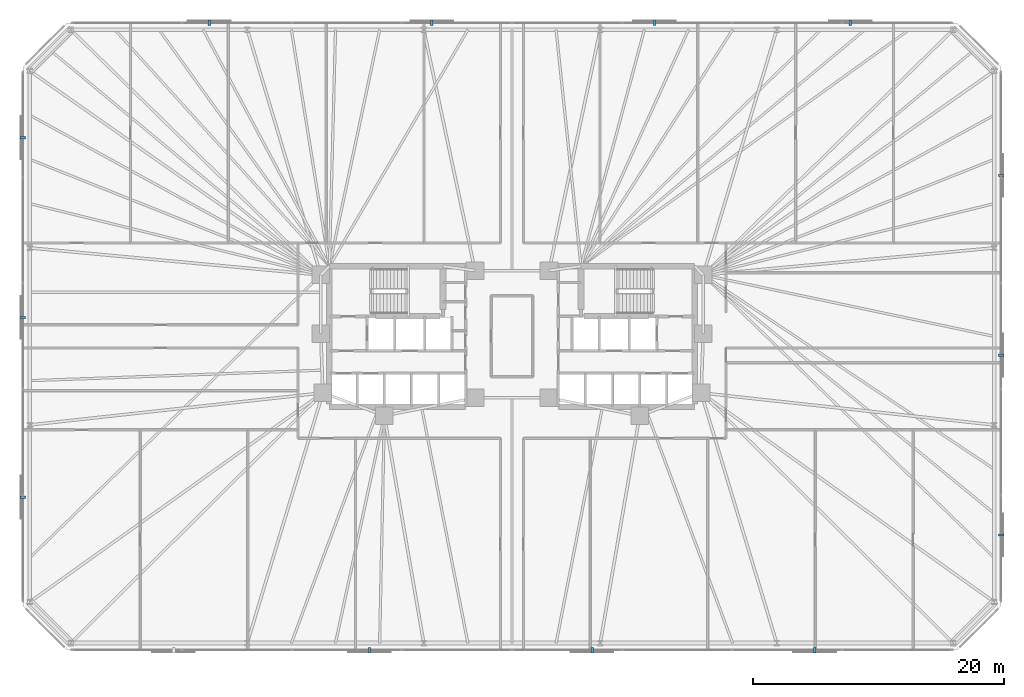
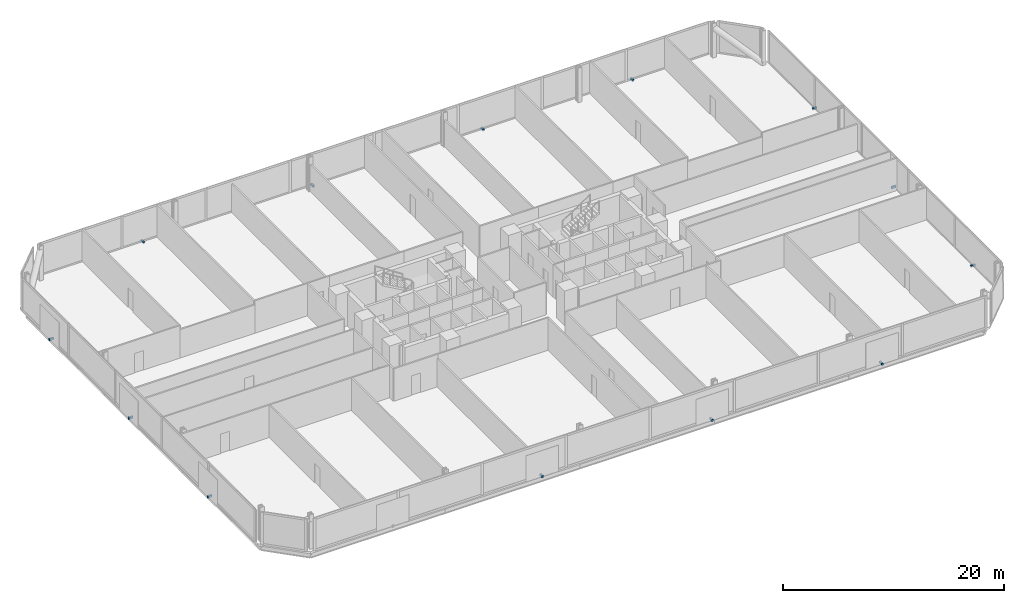
# One storey, part 16 of 17: 13 discrete accessories.
"""IFC4 building model written with IfcOpenShell, lengths in metres."""

import ifcopenshell
import ifcopenshell.guid

model = None  # the IFC model being written
_history = None  # IfcOwnerHistory: only IFC2X3 demands one
_inside = {}  # id of a spatial element -> (the spatial element, [elements in it])
_under = {}  # id of a project, library or spatial element -> (it, [spatial elements below it])
_declared = {}  # id of a project -> (the project, [libraries it declares])
_typed = {}  # id of a type object -> (the type object, [elements of that type])
_made_of = {}  # id of a material, layer set ... -> (it, [elements and type objects made of it])


def new_model(schema):
    """Start an empty IFC model of exactly this schema.

    Asked for "IFC4X3", IfcOpenShell would pick the latest addendum, in which some entities
    have other attributes; the version numbers below select the first issue.
    IFC2X3 requires an IfcOwnerHistory on every rooted entity: one is made here for all.
    """
    global model, _history
    if schema == "IFC4X3":
        model = ifcopenshell.file(schema_version=(4, 3, 0, 0))
    else:
        model = ifcopenshell.file(schema=schema)
    _inside.clear()
    _under.clear()
    _declared.clear()
    _typed.clear()
    _made_of.clear()
    _history = None
    if model.schema == "IFC2X3":
        org = make("IfcOrganization", Name="unknown")
        user = make(
            "IfcPersonAndOrganization",
            ThePerson=make("IfcPerson", FamilyName="unknown"),
            TheOrganization=org,
        )
        app = make(
            "IfcApplication",
            ApplicationDeveloper=org,
            Version="unknown",
            ApplicationFullName="unknown",
            ApplicationIdentifier="unknown",
        )
        _history = make(
            "IfcOwnerHistory",
            OwningUser=user,
            OwningApplication=app,
            ChangeAction="ADDED",
            CreationDate=0,
        )
    return model


def make(cls, **values):
    """One entity of the class cls with the attributes given. An attribute that is None is left unset."""
    return model.create_entity(
        cls, **{name: value for name, value in values.items() if value is not None}
    )


def rooted(cls, **values):
    """An entity with a GlobalId (a new one), such as an element, a storey or a relation."""
    return make(cls, GlobalId=ifcopenshell.guid.new(), OwnerHistory=_history, **values)


def si_unit(unit_type, name, prefix=None):
    """IfcSIUnit, for example si_unit("LENGTHUNIT", "METRE", prefix="MILLI")."""
    return make("IfcSIUnit", UnitType=unit_type, Prefix=prefix, Name=name)


def assignment(units):
    """IfcUnitAssignment: the units of a project."""
    return None if units is None else make("IfcUnitAssignment", Units=units)


def point(xyz):
    """IfcCartesianPoint."""
    return None if xyz is None else make("IfcCartesianPoint", Coordinates=xyz)


def direction(xyz):
    """IfcDirection."""
    return None if xyz is None else make("IfcDirection", DirectionRatios=xyz)


def frame(location, z_axis=None, x_axis=None):
    """IfcAxis2Placement3D, a coordinate frame: its origin and axes. An axis left out is left unset."""
    return make(
        "IfcAxis2Placement3D",
        Location=point(location),
        Axis=direction(z_axis),
        RefDirection=direction(x_axis),
    )


def frame_2d(location, x_axis=None):
    """IfcAxis2Placement2D, a coordinate frame in the plane: its origin and x axis."""
    return make(
        "IfcAxis2Placement2D", Location=point(location), RefDirection=direction(x_axis)
    )


def origin():
    """The frame at (0, 0, 0) with its axes left unset."""
    return frame((0.0, 0.0, 0.0))


def origin_2d():
    """The frame at (0, 0) in the plane with its x axis left unset."""
    return frame_2d((0.0, 0.0))


def place(relative_to, where):
    """IfcLocalPlacement: puts the frame where relative to a parent placement (None: the world)."""
    return make(
        "IfcLocalPlacement", PlacementRelTo=relative_to, RelativePlacement=where
    )


def context(
    kind, dimensions, precision=None, world=None, true_north=None, identifier=None
):
    """IfcGeometricRepresentationContext, for example the 3D "Model" context."""
    return make(
        "IfcGeometricRepresentationContext",
        ContextIdentifier=identifier,
        ContextType=kind,
        CoordinateSpaceDimension=dimensions,
        Precision=precision,
        WorldCoordinateSystem=world,
        TrueNorth=true_north,
    )


def subcontext(parent, identifier, kind, view, scale=None):
    """IfcGeometricRepresentationSubContext, for example "Body" below "Model"."""
    return make(
        "IfcGeometricRepresentationSubContext",
        ContextIdentifier=identifier,
        ContextType=kind,
        ParentContext=parent,
        TargetScale=scale,
        TargetView=view,
    )


def project(units=None, contexts=None):
    """IfcProject with its units and contexts."""
    return rooted(
        "IfcProject",
        Name="project",
        RepresentationContexts=contexts,
        UnitsInContext=assignment(units),
    )


def spatial(cls, under=None, at=None, **own):
    """A site, building, storey or space (cls), placed at a placement, below another one or the project."""
    s = rooted(cls, ObjectPlacement=at, **own)
    if under is not None:
        _under.setdefault(under.id(), (under, []))[1].append(s)
    return s


def profile(cls, at=None, kind="AREA", **sizes):
    """A parametric profile (cls). Its sizes go by their IFC names, for example OverallWidth=200.0."""
    return make(cls, ProfileType=kind, Position=at, **sizes)


def rectangle(**sizes):
    """IfcRectangleProfileDef."""
    return profile("IfcRectangleProfileDef", **sizes)


def extrude(swept, where, along, depth):
    """IfcExtrudedAreaSolid: the profile swept, set in the frame where, extruded along a direction by depth."""
    return make(
        "IfcExtrudedAreaSolid",
        SweptArea=swept,
        Position=where,
        ExtrudedDirection=direction(along),
        Depth=depth,
    )


def shape(context_of_items, identifier, shape_type, items):
    """IfcShapeRepresentation: the items that make up one representation, for example the "Body"."""
    return make(
        "IfcShapeRepresentation",
        ContextOfItems=context_of_items,
        RepresentationIdentifier=identifier,
        RepresentationType=shape_type,
        Items=items,
    )


def material(Name=None, Category=None):
    """IfcMaterial."""
    return make("IfcMaterial", Name=Name, Category=Category)


def made_of(thing, what):
    """Note that an element or type object is made of a material, layer set ...; save() writes the relation."""
    if what is not None:
        _made_of.setdefault(what.id(), (what, []))[1].append(thing)
    return thing


def type_object(cls, material=None, **own):
    """A type object (cls), such as IfcWallType, which elements share."""
    return made_of(rooted(cls, **own), material)


def element(
    cls,
    number,
    at=None,
    inside=None,
    cuts=None,
    type_object=None,
    material=None,
    context=None,
    identifier="Body",
    shape_type=None,
    held_by="IfcProductDefinitionShape",
    body=None,
    shapes=None,
    **own,
):
    """One element of the class cls, such as IfcWall. Its Tag is "e" and its number.

    at: its placement. inside: the storey or other place that contains it. cuts: it is an
    opening in that element (IfcRelVoidsElement). A single representation is given by context,
    identifier, shape_type and body (its items); several are given by shapes. held_by: the class
    of the entity that holds the representations. save() writes the other relations.
    """
    e = rooted(cls, Tag="e%d" % number, ObjectPlacement=at, **own)
    if body is not None:
        shapes = [shape(context, identifier, shape_type, body)]
    if shapes is not None:
        e.Representation = make(held_by, Representations=shapes)
    if inside is not None:
        _inside.setdefault(inside.id(), (inside, []))[1].append(e)
    if cuts is not None:
        rooted(
            "IfcRelVoidsElement", RelatingBuildingElement=cuts, RelatedOpeningElement=e
        )
    if type_object is not None:
        _typed.setdefault(type_object.id(), (type_object, []))[1].append(e)
    return made_of(e, material)


def aggregate(whole, parts):
    """IfcRelAggregates: a whole, such as a stair, and the parts it consists of."""
    return rooted("IfcRelAggregates", RelatingObject=whole, RelatedObjects=parts)


def save(model, path):
    """Write the relations noted so far, then the file.

    IfcRelAggregates (storeys below a building ...), IfcRelContainedInSpatialStructure (elements
    in a storey), IfcRelDefinesByType, IfcRelAssociatesMaterial and IfcRelDeclares: one each for
    every whole, place, type object, material and project.
    """
    for whole, parts in _under.values():
        aggregate(whole, parts)
    for where, things in _inside.values():
        rooted(
            "IfcRelContainedInSpatialStructure",
            RelatedElements=things,
            RelatingStructure=where,
        )
    for kind, things in _typed.values():
        rooted("IfcRelDefinesByType", RelatedObjects=things, RelatingType=kind)
    for what, things in _made_of.values():
        rooted("IfcRelAssociatesMaterial", RelatedObjects=things, RelatingMaterial=what)
    for by, libraries in _declared.values():
        rooted("IfcRelDeclares", RelatingContext=by, RelatedDefinitions=libraries)
    model.write(path)


model = new_model("IFC4")

# Units and contexts
model_context = context("Model", 3, precision=1e-05, world=origin(), true_north=direction((0.0, 1.0)))
body_context = subcontext(model_context, "Body", "Model", "MODEL_VIEW")
ifc_project = project(units=[si_unit("LENGTHUNIT", "METRE"), si_unit("AREAUNIT", "SQUARE_METRE"), si_unit("VOLUMEUNIT", "CUBIC_METRE"), si_unit("PLANEANGLEUNIT", "RADIAN"), si_unit("MASSUNIT", "GRAM", prefix="KILO")], contexts=[model_context])

# Site, building, storey
site_placement = place(None, origin())
site = spatial("IfcSite", under=ifc_project, at=site_placement, CompositionType="ELEMENT")
building_placement = place(site_placement, origin())
building = spatial("IfcBuilding", under=site, at=building_placement, Name="Menara Jurai Vektor", CompositionType="ELEMENT")
storey_placement = place(building_placement, frame((0.0, 0.0, 37.0)))
storey = spatial("IfcBuildingStorey", under=building, at=storey_placement, Name="L08", CompositionType="ELEMENT", Elevation=37.0)

# Discrete accessories
ifc_material = material(Name="Steel S355", Category="steel")
discrete_accessory_type = type_object("IfcDiscreteAccessoryType", Name="ENV-ACC-BRACKET", PredefinedType="BRACKET", material=ifc_material)
for number, where, z_axis, x_axis, name in (
    (1, (-11.360107421875, -25.010009765625, -0.1298828125), (0.0, 0.0, 1.0), (1.0, 0.0, 0.0), "Solar Screen Stand-Off Bracket L08-S02"),
    (2, (6.389892578125, -25.010009765625, -0.1298828125), (0.0, 0.0, 1.0), (1.0, 0.0, 0.0), "Solar Screen Stand-Off Bracket L08-S03"),
    (3, (24.139892578125, -25.010009765625, -0.1298828125), (0.0, 0.0, 1.0), (1.0, 0.0, 0.0), "Solar Screen Stand-Off Bracket L08-S04"),
    (4, (39.010009765625, -15.83837890625, -0.1298828125), (0.0, 0.0, 1.0), (0.0, 1.0, 0.0), "Solar Screen Stand-Off Bracket L08-S05"),
    (5, (39.010009765625, -1.5048828125, -0.1298828125), (0.0, 0.0, 1.0), (0.0, 1.0, 0.0), "Solar Screen Stand-Off Bracket L08-S06"),
    (6, (39.010009765625, 12.828369140625, -0.1298828125), (0.0, 0.0, 1.0), (0.0, 1.0, 0.0), "Solar Screen Stand-Off Bracket L08-S07"),
    (7, (26.97998046875, 25.010009765625, -0.1298828125), (0.0, 0.0, 1.0), (-1.0, 0.0, 0.0), "Solar Screen Stand-Off Bracket L08-S08"),
    (8, (11.360107421875, 25.010009765625, -0.1298828125), (0.0, 0.0, 1.0), (-1.0, 0.0, 0.0), "Solar Screen Stand-Off Bracket L08-S09"),
    (9, (-6.389892578125, 25.010009765625, -0.1298828125), (0.0, 0.0, 1.0), (-1.0, 0.0, 0.0), "Solar Screen Stand-Off Bracket L08-S10"),
    (10, (-24.139892578125, 25.010009765625, -0.1298828125), (0.0, 0.0, 1.0), (-1.0, 0.0, 0.0), "Solar Screen Stand-Off Bracket L08-S11"),
    (11, (-39.010009765625, 15.83837890625, -0.1298828125), (0.0, 0.0, 1.0), (0.0, -1.0, 0.0), "Solar Screen Stand-Off Bracket L08-S12"),
    (12, (-39.010009765625, 1.5048828125, -0.1298828125), (0.0, 0.0, 1.0), (0.0, -1.0, 0.0), "Solar Screen Stand-Off Bracket L08-S13"),
    (13, (-39.010009765625, -12.828369140625, -0.1298828125), (0.0, 0.0, 1.0), (0.0, -1.0, 0.0), "Solar Screen Stand-Off Bracket L08-S14"),
):
    element("IfcDiscreteAccessory", number, at=place(storey_placement, frame(where, z_axis=z_axis, x_axis=x_axis)), inside=storey, type_object=discrete_accessory_type, Name=name, PredefinedType="BRACKET", context=body_context, shape_type="SweptSolid", body=[
        extrude(rectangle(XDim=0.179931640625, YDim=0.43994140625, at=origin_2d()), origin(), (0.0, 0.0, 1.0), 0.219970703125),
    ])

save(model, "model.ifc")
